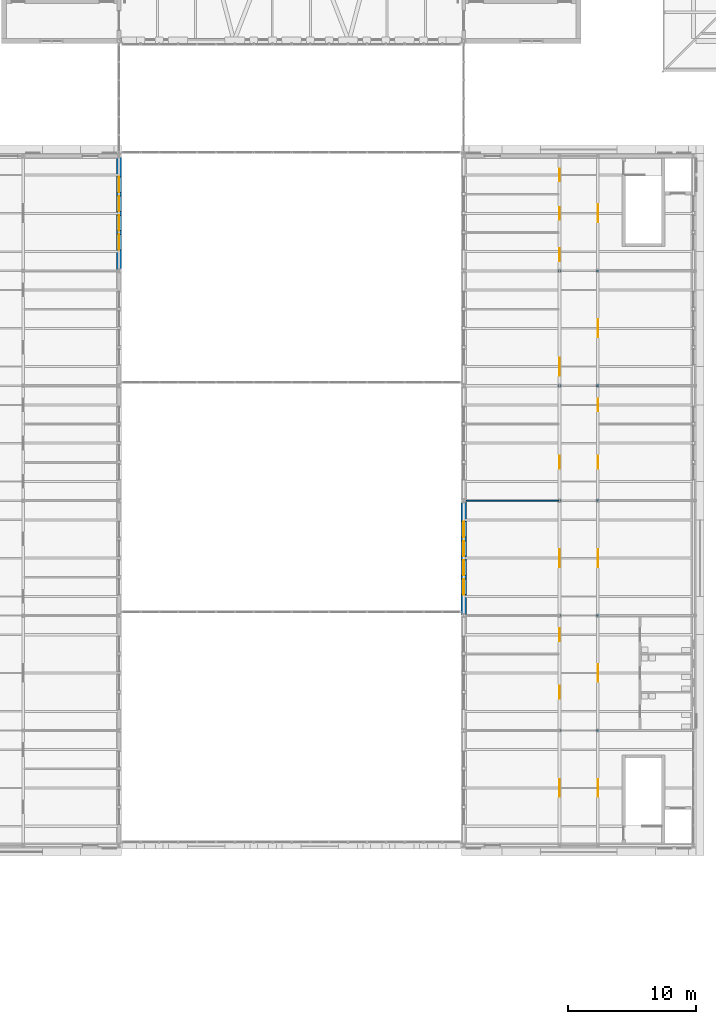
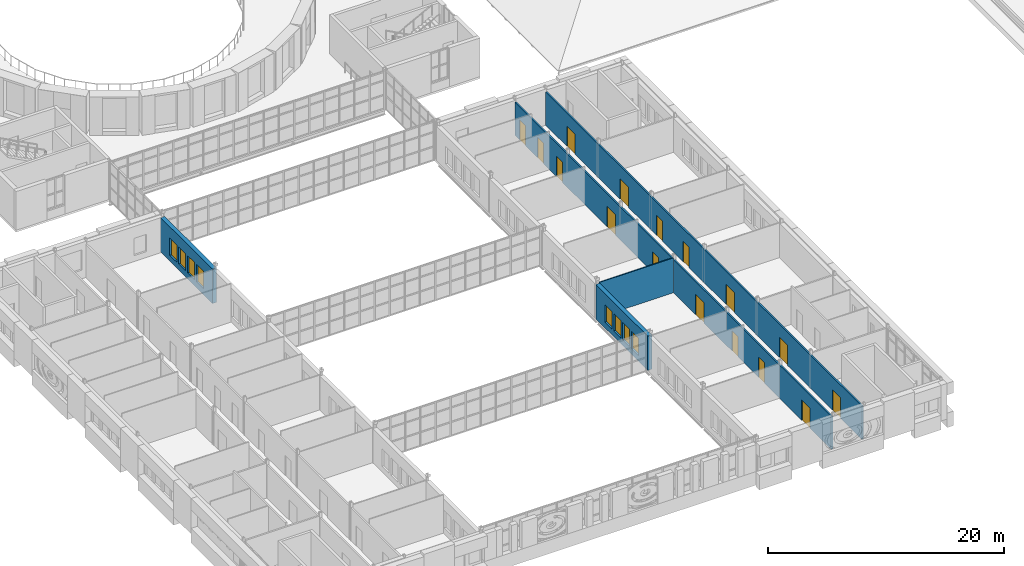
# One storey, part 107 of 154: 16 doors, 8 windows, 5 walls, 24 openings.
"""IFC4 building model written with IfcOpenShell, lengths in metres."""

from ifc_helpers import new_model, si_unit, direction, frame, frame_2d, origin, place, context, subcontext, project, spatial, rectangle, extrude, material, layer, layer_set, type_object, element, fill, save


model = new_model("IFC4")

# Units and contexts
model_context = context("Model", 3, precision=1e-05, world=origin(), true_north=direction((0.0, 1.0)))
body_context = subcontext(model_context, "Body", "Model", "MODEL_VIEW")
ifc_project = project(units=[si_unit("LENGTHUNIT", "METRE"), si_unit("AREAUNIT", "SQUARE_METRE"), si_unit("VOLUMEUNIT", "CUBIC_METRE"), si_unit("PLANEANGLEUNIT", "RADIAN"), si_unit("MASSUNIT", "GRAM", prefix="KILO")], contexts=[model_context])

# Site, building, storey
site_placement = place(None, origin())
site = spatial("IfcSite", under=ifc_project, at=site_placement, CompositionType="ELEMENT")
building_placement = place(site_placement, origin())
building = spatial("IfcBuilding", under=site, at=building_placement, Name="Golden Quay Civic Hall", CompositionType="ELEMENT")
storey_placement = place(building_placement, frame((0.0, 0.0, 14.39990234375)))
storey = spatial("IfcBuildingStorey", under=building, at=storey_placement, Name="L03", CompositionType="ELEMENT", Elevation=14.39990234375)

# Wall
ifc_material_1 = material(Name="Plasterboard on steel studs", Category="steel")
ifc_layer_1 = layer(ifc_material_1, 0.10009765625)
ifc_layer_set_1 = layer_set([ifc_layer_1], Name="Partition 100 stud")
wall_type_1 = type_object("IfcWallType", Name="Partition 100 stud", PredefinedType="PARTITIONING", material=ifc_layer_set_1)
wall_1_placement = place(storey_placement, frame((99.199951171875, 27.0, 0.0), z_axis=(0.0, 0.0, 1.0), x_axis=(1.0, 0.0, 0.0)))
element("IfcWall", 1, at=wall_1_placement, inside=storey, type_object=wall_type_1, Name="Partition L03-008", PredefinedType="PARTITIONING", context=body_context, shape_type="SweptSolid", body=[
    extrude(rectangle(XDim=7.22509765625, YDim=0.10009765625, at=frame_2d((3.612548828125, 0.0))), origin(), (0.0, 0.0, 1.0), 3.60009765625),
])

# Wall, openings, doors
ifc_material_2 = material(Name="Plasterboard on steel studs", Category="steel")
ifc_layer_2 = layer(ifc_material_2, 0.14990234375)
ifc_layer_set_2 = layer_set([ifc_layer_2], Name="Partition 150 stud fire EI 60")
wall_type_2 = type_object("IfcWallType", Name="Partition 150 stud fire EI 60", PredefinedType="PARTITIONING", material=ifc_layer_set_2)
wall_2_placement = place(storey_placement, frame((109.5, 0.199951171875, 0.0), z_axis=(0.0, 0.0, 1.0), x_axis=(0.0, 1.0, 0.0)))
wall_2 = element("IfcWall", 2, at=wall_2_placement, inside=storey, type_object=wall_type_2, Name="Partition L03-014", PredefinedType="PARTITIONING", context=body_context, shape_type="SweptSolid", body=[
    extrude(rectangle(XDim=53.60009765625, YDim=0.14990234375, at=frame_2d((26.800048828125, 0.0))), origin(), (0.0, 0.0, 1.0), 3.43017578125),
])
opening_1_placement = place(wall_2_placement, frame((21.60009765625, 0.0, 0.0)))
opening_1 = element("IfcOpeningElement", 3, at=opening_1_placement, cuts=wall_2, Name="Opening L03-D103", PredefinedType="OPENING", context=body_context, shape_type="SweptSolid", body=[
    extrude(rectangle(XDim=1.39990234375, YDim=2.10009765625, at=frame_2d((0.699951171875, 1.050048828125))), frame((0.0, 0.0849609375, 0.0), z_axis=(0.0, -1.0, 0.0), x_axis=(1.0, 0.0, 0.0)), (0.0, 0.0, 1.0), 0.169921875),
])
opening_2_placement = place(wall_2_placement, frame((29.300048828125, 0.0, 0.0)))
opening_2 = element("IfcOpeningElement", 4, at=opening_2_placement, cuts=wall_2, Name="Opening L03-D104", PredefinedType="OPENING", context=body_context, shape_type="SweptSolid", body=[
    extrude(rectangle(XDim=1.0, YDim=2.10009765625, at=frame_2d((0.5, 1.050048828125))), frame((0.0, 0.0849609375, 0.0), z_axis=(0.0, -1.0, 0.0), x_axis=(1.0, 0.0, 0.0)), (0.0, 0.0, 1.0), 0.169921875),
])
opening_3_placement = place(wall_2_placement, frame((33.800048828125, 0.0, 0.0)))
opening_3 = element("IfcOpeningElement", 5, at=opening_3_placement, cuts=wall_2, Name="Opening L03-D105", PredefinedType="OPENING", context=body_context, shape_type="SweptSolid", body=[
    extrude(rectangle(XDim=1.0, YDim=2.10009765625, at=frame_2d((0.5, 1.050048828125))), frame((0.0, 0.0849609375, 0.0), z_axis=(0.0, -1.0, 0.0), x_axis=(1.0, 0.0, 0.0)), (0.0, 0.0, 1.0), 0.169921875),
])
opening_4_placement = place(wall_2_placement, frame((39.60009765625, 0.0, 0.0)))
opening_4 = element("IfcOpeningElement", 6, at=opening_4_placement, cuts=wall_2, Name="Opening L03-D106", PredefinedType="OPENING", context=body_context, shape_type="SweptSolid", body=[
    extrude(rectangle(XDim=1.39990234375, YDim=2.10009765625, at=frame_2d((0.699951171875, 1.050048828125))), frame((0.0, 0.0849609375, 0.0), z_axis=(0.0, -1.0, 0.0), x_axis=(1.0, 0.0, 0.0)), (0.0, 0.0, 1.0), 0.169921875),
])
opening_5_placement = place(wall_2_placement, frame((12.60009765625, 0.0, 0.0)))
opening_5 = element("IfcOpeningElement", 7, at=opening_5_placement, cuts=wall_2, Name="Opening L03-D116", PredefinedType="OPENING", context=body_context, shape_type="SweptSolid", body=[
    extrude(rectangle(XDim=1.39990234375, YDim=2.10009765625, at=frame_2d((0.699951171875, 1.050048828125))), frame((0.0, 0.0849609375, 0.0), z_axis=(0.0, -1.0, 0.0), x_axis=(1.0, 0.0, 0.0)), (0.0, 0.0, 1.0), 0.169921875),
])
opening_6_placement = place(wall_2_placement, frame((3.60009765625, 0.0, 0.0)))
opening_6 = element("IfcOpeningElement", 8, at=opening_6_placement, cuts=wall_2, Name="Opening L03-D121", PredefinedType="OPENING", context=body_context, shape_type="SweptSolid", body=[
    extrude(rectangle(XDim=1.39990234375, YDim=2.10009765625, at=frame_2d((0.699951171875, 1.050048828125))), frame((0.0, 0.0849609375, 0.0), z_axis=(0.0, -1.0, 0.0), x_axis=(1.0, 0.0, 0.0)), (0.0, 0.0, 1.0), 0.169921875),
])
opening_7_placement = place(wall_2_placement, frame((48.60009765625, 0.0, 0.0)))
opening_7 = element("IfcOpeningElement", 9, at=opening_7_placement, cuts=wall_2, Name="Opening L03-D123", PredefinedType="OPENING", context=body_context, shape_type="SweptSolid", body=[
    extrude(rectangle(XDim=1.39990234375, YDim=2.10009765625, at=frame_2d((0.699951171875, 1.050048828125))), frame((0.0, 0.0849609375, 0.0), z_axis=(0.0, -1.0, 0.0), x_axis=(1.0, 0.0, 0.0)), (0.0, 0.0, 1.0), 0.169921875),
])
ifc_material_3 = material(Name="Steel", Category="steel")
door_type_1 = type_object("IfcDoorType", Name="Steel double fire door FD30S 1400 x 2100", OperationType="DOUBLE_DOOR_SINGLE_SWING", PredefinedType="DOOR", material=ifc_material_3)
door_1_placement = place(opening_1_placement, frame((1.39990234375, 0.0, 0.0), z_axis=(0.0, 0.0, 1.0), x_axis=(-1.0, 0.0, 0.0)))
door_1 = element("IfcDoor", 10, at=door_1_placement, inside=storey, type_object=door_type_1, Name="Door L03-D103", OperationType="DOUBLE_DOOR_SINGLE_SWING", OverallHeight=2.10009765625, OverallWidth=1.39990234375, PredefinedType="DOOR", context=body_context, shape_type="SweptSolid", body=[
    extrude(rectangle(XDim=1.39990234375, YDim=2.10009765625, at=frame_2d((0.699951171875, 1.050048828125))), frame((0.0, 0.025146484375, 0.0), z_axis=(0.0, -1.0, 0.0), x_axis=(1.0, 0.0, 0.0)), (0.0, 0.0, 1.0), 0.050048828125),
])
fill(opening_1, door_1)
door_2_placement = place(opening_4_placement, frame((1.39990234375, 0.0, 0.0), z_axis=(0.0, 0.0, 1.0), x_axis=(-1.0, 0.0, 0.0)))
door_2 = element("IfcDoor", 11, at=door_2_placement, inside=storey, type_object=door_type_1, Name="Door L03-D106", OperationType="DOUBLE_DOOR_SINGLE_SWING", OverallHeight=2.10009765625, OverallWidth=1.39990234375, PredefinedType="DOOR", context=body_context, shape_type="SweptSolid", body=[
    extrude(rectangle(XDim=1.39990234375, YDim=2.10009765625, at=frame_2d((0.699951171875, 1.050048828125))), frame((0.0, 0.025146484375, 0.0), z_axis=(0.0, -1.0, 0.0), x_axis=(1.0, 0.0, 0.0)), (0.0, 0.0, 1.0), 0.050048828125),
])
fill(opening_4, door_2)
door_3_placement = place(opening_5_placement, frame((1.39990234375, 0.0, 0.0), z_axis=(0.0, 0.0, 1.0), x_axis=(-1.0, 0.0, 0.0)))
door_3 = element("IfcDoor", 12, at=door_3_placement, inside=storey, type_object=door_type_1, Name="Door L03-D116", OperationType="DOUBLE_DOOR_SINGLE_SWING", OverallHeight=2.10009765625, OverallWidth=1.39990234375, PredefinedType="DOOR", context=body_context, shape_type="SweptSolid", body=[
    extrude(rectangle(XDim=1.39990234375, YDim=2.10009765625, at=frame_2d((0.699951171875, 1.050048828125))), frame((0.0, 0.025146484375, 0.0), z_axis=(0.0, -1.0, 0.0), x_axis=(1.0, 0.0, 0.0)), (0.0, 0.0, 1.0), 0.050048828125),
])
fill(opening_5, door_3)
door_4_placement = place(opening_6_placement, origin())
door_4 = element("IfcDoor", 13, at=door_4_placement, inside=storey, type_object=door_type_1, Name="Door L03-D121", OperationType="DOUBLE_DOOR_SINGLE_SWING", OverallHeight=2.10009765625, OverallWidth=1.39990234375, PredefinedType="DOOR", context=body_context, shape_type="SweptSolid", body=[
    extrude(rectangle(XDim=1.39990234375, YDim=2.10009765625, at=frame_2d((0.699951171875, 1.050048828125))), frame((0.0, 0.02490234375, 0.0), z_axis=(0.0, -1.0, 0.0), x_axis=(1.0, 0.0, 0.0)), (0.0, 0.0, 1.0), 0.050048828125),
])
fill(opening_6, door_4)
door_5_placement = place(opening_7_placement, origin())
door_5 = element("IfcDoor", 14, at=door_5_placement, inside=storey, type_object=door_type_1, Name="Door L03-D123", OperationType="DOUBLE_DOOR_SINGLE_SWING", OverallHeight=2.10009765625, OverallWidth=1.39990234375, PredefinedType="DOOR", context=body_context, shape_type="SweptSolid", body=[
    extrude(rectangle(XDim=1.39990234375, YDim=2.10009765625, at=frame_2d((0.699951171875, 1.050048828125))), frame((0.0, 0.02490234375, 0.0), z_axis=(0.0, -1.0, 0.0), x_axis=(1.0, 0.0, 0.0)), (0.0, 0.0, 1.0), 0.050048828125),
])
fill(opening_7, door_5)
ifc_material_4 = material(Name="Steel", Category="steel")
door_type_2 = type_object("IfcDoorType", Name="Steel fire door FD30S 1000 x 2100", OperationType="SINGLE_SWING_LEFT", PredefinedType="DOOR", material=ifc_material_4)
door_6_placement = place(opening_2_placement, frame((1.0, 0.0, 0.0), z_axis=(0.0, 0.0, 1.0), x_axis=(-1.0, 0.0, 0.0)))
door_6 = element("IfcDoor", 15, at=door_6_placement, inside=storey, type_object=door_type_2, Name="Door L03-D104", OperationType="SINGLE_SWING_RIGHT", OverallHeight=2.10009765625, OverallWidth=1.0, PredefinedType="DOOR", context=body_context, shape_type="SweptSolid", body=[
    extrude(rectangle(XDim=1.0, YDim=2.10009765625, at=frame_2d((0.5, 1.050048828125))), frame((0.0, 0.025146484375, 0.0), z_axis=(0.0, -1.0, 0.0), x_axis=(1.0, 0.0, 0.0)), (0.0, 0.0, 1.0), 0.050048828125),
])
fill(opening_2, door_6)
door_7_placement = place(opening_3_placement, frame((1.0, 0.0, 0.0), z_axis=(0.0, 0.0, 1.0), x_axis=(-1.0, 0.0, 0.0)))
door_7 = element("IfcDoor", 16, at=door_7_placement, inside=storey, type_object=door_type_2, Name="Door L03-D105", OperationType="SINGLE_SWING_RIGHT", OverallHeight=2.10009765625, OverallWidth=1.0, PredefinedType="DOOR", context=body_context, shape_type="SweptSolid", body=[
    extrude(rectangle(XDim=1.0, YDim=2.10009765625, at=frame_2d((0.5, 1.050048828125))), frame((0.0, 0.025146484375, 0.0), z_axis=(0.0, -1.0, 0.0), x_axis=(1.0, 0.0, 0.0)), (0.0, 0.0, 1.0), 0.050048828125),
])
fill(opening_3, door_7)

wall_3_placement = place(storey_placement, frame((106.5, 0.199951171875, 0.0), z_axis=(0.0, 0.0, 1.0), x_axis=(0.0, 1.0, 0.0)))
wall_3 = element("IfcWall", 17, at=wall_3_placement, inside=storey, type_object=wall_type_2, Name="Partition L03-015", PredefinedType="PARTITIONING", context=body_context, shape_type="SweptSolid", body=[
    extrude(rectangle(XDim=53.60009765625, YDim=0.14990234375, at=frame_2d((26.800048828125, 0.0))), origin(), (0.0, 0.0, 1.0), 3.43017578125),
])
opening_8_placement = place(wall_3_placement, frame((3.60009765625, 0.0, 0.0)))
opening_8 = element("IfcOpeningElement", 18, at=opening_8_placement, cuts=wall_3, Name="Opening L03-D107", PredefinedType="OPENING", context=body_context, shape_type="SweptSolid", body=[
    extrude(rectangle(XDim=1.39990234375, YDim=2.10009765625, at=frame_2d((0.699951171875, 1.050048828125))), frame((0.0, 0.0849609375, 0.0), z_axis=(0.0, -1.0, 0.0), x_axis=(1.0, 0.0, 0.0)), (0.0, 0.0, 1.0), 0.169921875),
])
opening_9_placement = place(wall_3_placement, frame((11.300048828125, 0.0, 0.0)))
opening_9 = element("IfcOpeningElement", 19, at=opening_9_placement, cuts=wall_3, Name="Opening L03-D108", PredefinedType="OPENING", context=body_context, shape_type="SweptSolid", body=[
    extrude(rectangle(XDim=1.0, YDim=2.10009765625, at=frame_2d((0.5, 1.050048828125))), frame((0.0, 0.0849609375, 0.0), z_axis=(0.0, -1.0, 0.0), x_axis=(1.0, 0.0, 0.0)), (0.0, 0.0, 1.0), 0.169921875),
])
opening_10_placement = place(wall_3_placement, frame((15.800048828125, 0.0, 0.0)))
opening_10 = element("IfcOpeningElement", 20, at=opening_10_placement, cuts=wall_3, Name="Opening L03-D109", PredefinedType="OPENING", context=body_context, shape_type="SweptSolid", body=[
    extrude(rectangle(XDim=1.0, YDim=2.10009765625, at=frame_2d((0.5, 1.050048828125))), frame((0.0, 0.0849609375, 0.0), z_axis=(0.0, -1.0, 0.0), x_axis=(1.0, 0.0, 0.0)), (0.0, 0.0, 1.0), 0.169921875),
])
opening_11_placement = place(wall_3_placement, frame((21.60009765625, 0.0, 0.0)))
opening_11 = element("IfcOpeningElement", 21, at=opening_11_placement, cuts=wall_3, Name="Opening L03-D110", PredefinedType="OPENING", context=body_context, shape_type="SweptSolid", body=[
    extrude(rectangle(XDim=1.39990234375, YDim=2.10009765625, at=frame_2d((0.699951171875, 1.050048828125))), frame((0.0, 0.0849609375, 0.0), z_axis=(0.0, -1.0, 0.0), x_axis=(1.0, 0.0, 0.0)), (0.0, 0.0, 1.0), 0.169921875),
])
opening_12_placement = place(wall_3_placement, frame((29.300048828125, 0.0, 0.0)))
opening_12 = element("IfcOpeningElement", 22, at=opening_12_placement, cuts=wall_3, Name="Opening L03-D111", PredefinedType="OPENING", context=body_context, shape_type="SweptSolid", body=[
    extrude(rectangle(XDim=1.0, YDim=2.10009765625, at=frame_2d((0.5, 1.050048828125))), frame((0.0, 0.0849609375, 0.0), z_axis=(0.0, -1.0, 0.0), x_axis=(1.0, 0.0, 0.0)), (0.0, 0.0, 1.0), 0.169921875),
])
opening_13_placement = place(wall_3_placement, frame((36.60009765625, 0.0, 0.0)))
opening_13 = element("IfcOpeningElement", 23, at=opening_13_placement, cuts=wall_3, Name="Opening L03-D112", PredefinedType="OPENING", context=body_context, shape_type="SweptSolid", body=[
    extrude(rectangle(XDim=1.39990234375, YDim=2.10009765625, at=frame_2d((0.699951171875, 1.050048828125))), frame((0.0, 0.0849609375, 0.0), z_axis=(0.0, -1.0, 0.0), x_axis=(1.0, 0.0, 0.0)), (0.0, 0.0, 1.0), 0.169921875),
])
opening_14_placement = place(wall_3_placement, frame((45.550048828125, 0.0, 0.0)))
opening_14 = element("IfcOpeningElement", 24, at=opening_14_placement, cuts=wall_3, Name="Opening L03-D113", PredefinedType="OPENING", context=body_context, shape_type="SweptSolid", body=[
    extrude(rectangle(XDim=1.0, YDim=2.10009765625, at=frame_2d((0.5, 1.050048828125))), frame((0.0, 0.0849609375, 0.0), z_axis=(0.0, -1.0, 0.0), x_axis=(1.0, 0.0, 0.0)), (0.0, 0.0, 1.0), 0.169921875),
])
opening_15_placement = place(wall_3_placement, frame((48.800048828125, 0.0, 0.0)))
opening_15 = element("IfcOpeningElement", 25, at=opening_15_placement, cuts=wall_3, Name="Opening L03-D114", PredefinedType="OPENING", context=body_context, shape_type="SweptSolid", body=[
    extrude(rectangle(XDim=1.0, YDim=2.10009765625, at=frame_2d((0.5, 1.050048828125))), frame((0.0, 0.0849609375, 0.0), z_axis=(0.0, -1.0, 0.0), x_axis=(1.0, 0.0, 0.0)), (0.0, 0.0, 1.0), 0.169921875),
])
opening_16_placement = place(wall_3_placement, frame((51.800048828125, 0.0, 0.0)))
opening_16 = element("IfcOpeningElement", 26, at=opening_16_placement, cuts=wall_3, Name="Opening L03-D115", PredefinedType="OPENING", context=body_context, shape_type="SweptSolid", body=[
    extrude(rectangle(XDim=1.0, YDim=2.10009765625, at=frame_2d((0.5, 1.050048828125))), frame((0.0, 0.0849609375, 0.0), z_axis=(0.0, -1.0, 0.0), x_axis=(1.0, 0.0, 0.0)), (0.0, 0.0, 1.0), 0.169921875),
])
door_8_placement = place(opening_8_placement, origin())
door_8 = element("IfcDoor", 27, at=door_8_placement, inside=storey, type_object=door_type_1, Name="Door L03-D107", OperationType="DOUBLE_DOOR_SINGLE_SWING", OverallHeight=2.10009765625, OverallWidth=1.39990234375, PredefinedType="DOOR", context=body_context, shape_type="SweptSolid", body=[
    extrude(rectangle(XDim=1.39990234375, YDim=2.10009765625, at=frame_2d((0.699951171875, 1.050048828125))), frame((0.0, 0.02490234375, 0.0), z_axis=(0.0, -1.0, 0.0), x_axis=(1.0, 0.0, 0.0)), (0.0, 0.0, 1.0), 0.050048828125),
])
fill(opening_8, door_8)
door_9_placement = place(opening_11_placement, origin())
door_9 = element("IfcDoor", 28, at=door_9_placement, inside=storey, type_object=door_type_1, Name="Door L03-D110", OperationType="DOUBLE_DOOR_SINGLE_SWING", OverallHeight=2.10009765625, OverallWidth=1.39990234375, PredefinedType="DOOR", context=body_context, shape_type="SweptSolid", body=[
    extrude(rectangle(XDim=1.39990234375, YDim=2.10009765625, at=frame_2d((0.699951171875, 1.050048828125))), frame((0.0, 0.02490234375, 0.0), z_axis=(0.0, -1.0, 0.0), x_axis=(1.0, 0.0, 0.0)), (0.0, 0.0, 1.0), 0.050048828125),
])
fill(opening_11, door_9)
door_10_placement = place(opening_13_placement, origin())
door_10 = element("IfcDoor", 29, at=door_10_placement, inside=storey, type_object=door_type_1, Name="Door L03-D112", OperationType="DOUBLE_DOOR_SINGLE_SWING", OverallHeight=2.10009765625, OverallWidth=1.39990234375, PredefinedType="DOOR", context=body_context, shape_type="SweptSolid", body=[
    extrude(rectangle(XDim=1.39990234375, YDim=2.10009765625, at=frame_2d((0.699951171875, 1.050048828125))), frame((0.0, 0.02490234375, 0.0), z_axis=(0.0, -1.0, 0.0), x_axis=(1.0, 0.0, 0.0)), (0.0, 0.0, 1.0), 0.050048828125),
])
fill(opening_13, door_10)
door_11_placement = place(opening_9_placement, origin())
door_11 = element("IfcDoor", 30, at=door_11_placement, inside=storey, type_object=door_type_2, Name="Door L03-D108", OperationType="SINGLE_SWING_LEFT", OverallHeight=2.10009765625, OverallWidth=1.0, PredefinedType="DOOR", context=body_context, shape_type="SweptSolid", body=[
    extrude(rectangle(XDim=1.0, YDim=2.10009765625, at=frame_2d((0.5, 1.050048828125))), frame((0.0, 0.02490234375, 0.0), z_axis=(0.0, -1.0, 0.0), x_axis=(1.0, 0.0, 0.0)), (0.0, 0.0, 1.0), 0.050048828125),
])
fill(opening_9, door_11)
door_12_placement = place(opening_10_placement, origin())
door_12 = element("IfcDoor", 31, at=door_12_placement, inside=storey, type_object=door_type_2, Name="Door L03-D109", OperationType="SINGLE_SWING_LEFT", OverallHeight=2.10009765625, OverallWidth=1.0, PredefinedType="DOOR", context=body_context, shape_type="SweptSolid", body=[
    extrude(rectangle(XDim=1.0, YDim=2.10009765625, at=frame_2d((0.5, 1.050048828125))), frame((0.0, 0.02490234375, 0.0), z_axis=(0.0, -1.0, 0.0), x_axis=(1.0, 0.0, 0.0)), (0.0, 0.0, 1.0), 0.050048828125),
])
fill(opening_10, door_12)
door_13_placement = place(opening_12_placement, origin())
door_13 = element("IfcDoor", 32, at=door_13_placement, inside=storey, type_object=door_type_2, Name="Door L03-D111", OperationType="SINGLE_SWING_LEFT", OverallHeight=2.10009765625, OverallWidth=1.0, PredefinedType="DOOR", context=body_context, shape_type="SweptSolid", body=[
    extrude(rectangle(XDim=1.0, YDim=2.10009765625, at=frame_2d((0.5, 1.050048828125))), frame((0.0, 0.02490234375, 0.0), z_axis=(0.0, -1.0, 0.0), x_axis=(1.0, 0.0, 0.0)), (0.0, 0.0, 1.0), 0.050048828125),
])
fill(opening_12, door_13)
door_14_placement = place(opening_14_placement, origin())
door_14 = element("IfcDoor", 33, at=door_14_placement, inside=storey, type_object=door_type_2, Name="Door L03-D113", OperationType="SINGLE_SWING_LEFT", OverallHeight=2.10009765625, OverallWidth=1.0, PredefinedType="DOOR", context=body_context, shape_type="SweptSolid", body=[
    extrude(rectangle(XDim=1.0, YDim=2.10009765625, at=frame_2d((0.5, 1.050048828125))), frame((0.0, 0.02490234375, 0.0), z_axis=(0.0, -1.0, 0.0), x_axis=(1.0, 0.0, 0.0)), (0.0, 0.0, 1.0), 0.050048828125),
])
fill(opening_14, door_14)
door_15_placement = place(opening_15_placement, origin())
door_15 = element("IfcDoor", 34, at=door_15_placement, inside=storey, type_object=door_type_2, Name="Door L03-D114", OperationType="SINGLE_SWING_LEFT", OverallHeight=2.10009765625, OverallWidth=1.0, PredefinedType="DOOR", context=body_context, shape_type="SweptSolid", body=[
    extrude(rectangle(XDim=1.0, YDim=2.10009765625, at=frame_2d((0.5, 1.050048828125))), frame((0.0, 0.02490234375, 0.0), z_axis=(0.0, -1.0, 0.0), x_axis=(1.0, 0.0, 0.0)), (0.0, 0.0, 1.0), 0.050048828125),
])
fill(opening_15, door_15)
door_16_placement = place(opening_16_placement, origin())
door_16 = element("IfcDoor", 35, at=door_16_placement, inside=storey, type_object=door_type_2, Name="Door L03-D115", OperationType="SINGLE_SWING_LEFT", OverallHeight=2.10009765625, OverallWidth=1.0, PredefinedType="DOOR", context=body_context, shape_type="SweptSolid", body=[
    extrude(rectangle(XDim=1.0, YDim=2.10009765625, at=frame_2d((0.5, 1.050048828125))), frame((0.0, 0.02490234375, 0.0), z_axis=(0.0, -1.0, 0.0), x_axis=(1.0, 0.0, 0.0)), (0.0, 0.0, 1.0), 0.050048828125),
])
fill(opening_16, door_16)

# Wall, openings, windows
ifc_material_5 = material(Name="Clay block, rendered, cream")
ifc_layer_3 = layer(ifc_material_5, 0.39990234375)
ifc_layer_set_3 = layer_set([ifc_layer_3], Name="Rendered block external wall 400")
wall_type_3 = type_object("IfcWallType", Name="Rendered block external wall 400", PredefinedType="STANDARD", material=ifc_layer_set_3)
wall_4_placement = place(storey_placement, frame((72.0, 53.905029296875, 0.0), z_axis=(0.0, 0.0, 1.0), x_axis=(0.0, -1.0, 0.0)))
wall_4 = element("IfcWall", 36, at=wall_4_placement, inside=storey, type_object=wall_type_3, Name="Rendered block external wall 400 L03 32", PredefinedType="STANDARD", context=body_context, shape_type="SweptSolid", body=[
    extrude(rectangle(XDim=8.81005859375, YDim=0.39990234375, at=frame_2d((4.405029296875, 0.0))), origin(), (0.0, 0.0, 1.0), 3.550048828125),
])
opening_17_placement = place(wall_4_placement, frame((6.054931640625, 0.0, 0.60009765625)))
opening_17 = element("IfcOpeningElement", 37, at=opening_17_placement, cuts=wall_4, Name="Opening WN10", PredefinedType="OPENING", context=body_context, shape_type="SweptSolid", body=[
    extrude(rectangle(XDim=1.199951171875, YDim=1.800048828125, at=frame_2d((0.60009765625, 0.89990234375))), frame((0.0, 0.2099609375, 0.0), z_axis=(0.0, -1.0, 0.0), x_axis=(1.0, 0.0, 0.0)), (0.0, 0.0, 1.0), 0.419921875),
])
opening_18_placement = place(wall_4_placement, frame((4.554931640625, 0.0, 0.60009765625)))
opening_18 = element("IfcOpeningElement", 38, at=opening_18_placement, cuts=wall_4, Name="Opening WN10", PredefinedType="OPENING", context=body_context, shape_type="SweptSolid", body=[
    extrude(rectangle(XDim=1.199951171875, YDim=1.800048828125, at=frame_2d((0.60009765625, 0.89990234375))), frame((0.0, 0.2099609375, 0.0), z_axis=(0.0, -1.0, 0.0), x_axis=(1.0, 0.0, 0.0)), (0.0, 0.0, 1.0), 0.419921875),
])
opening_19_placement = place(wall_4_placement, frame((3.054931640625, 0.0, 0.60009765625)))
opening_19 = element("IfcOpeningElement", 39, at=opening_19_placement, cuts=wall_4, Name="Opening WN10", PredefinedType="OPENING", context=body_context, shape_type="SweptSolid", body=[
    extrude(rectangle(XDim=1.199951171875, YDim=1.800048828125, at=frame_2d((0.60009765625, 0.89990234375))), frame((0.0, 0.2099609375, 0.0), z_axis=(0.0, -1.0, 0.0), x_axis=(1.0, 0.0, 0.0)), (0.0, 0.0, 1.0), 0.419921875),
])
opening_20_placement = place(wall_4_placement, frame((1.554931640625, 0.0, 0.60009765625)))
opening_20 = element("IfcOpeningElement", 40, at=opening_20_placement, cuts=wall_4, Name="Opening WN10", PredefinedType="OPENING", context=body_context, shape_type="SweptSolid", body=[
    extrude(rectangle(XDim=1.199951171875, YDim=1.800048828125, at=frame_2d((0.60009765625, 0.89990234375))), frame((0.0, 0.2099609375, 0.0), z_axis=(0.0, -1.0, 0.0), x_axis=(1.0, 0.0, 0.0)), (0.0, 0.0, 1.0), 0.419921875),
])
ifc_material_6 = material(Name="Aluminium frame, double glazed", Category="aluminium")
window_type = type_object("IfcWindowType", Name="Golden grid window 1200 x 1800", PartitioningType="SINGLE_PANEL", PredefinedType="WINDOW", material=ifc_material_6)
window_1_placement = place(opening_17_placement, origin())
window_1 = element("IfcWindow", 41, at=window_1_placement, inside=storey, type_object=window_type, Name="Golden grid window 1200 x 1800 L03 33", OverallHeight=1.800048828125, OverallWidth=1.199951171875, PartitioningType="SINGLE_PANEL", PredefinedType="WINDOW", context=body_context, shape_type="SweptSolid", body=[
    extrude(rectangle(XDim=1.199951171875, YDim=1.800048828125, at=frame_2d((0.60009765625, 0.89990234375))), frame((0.0, 0.030029296875, 0.0), z_axis=(0.0, -1.0, 0.0), x_axis=(1.0, 0.0, 0.0)), (0.0, 0.0, 1.0), 0.06005859375),
])
fill(opening_17, window_1)
window_2_placement = place(opening_18_placement, origin())
window_2 = element("IfcWindow", 42, at=window_2_placement, inside=storey, type_object=window_type, Name="Golden grid window 1200 x 1800 L03 34", OverallHeight=1.800048828125, OverallWidth=1.199951171875, PartitioningType="SINGLE_PANEL", PredefinedType="WINDOW", context=body_context, shape_type="SweptSolid", body=[
    extrude(rectangle(XDim=1.199951171875, YDim=1.800048828125, at=frame_2d((0.60009765625, 0.89990234375))), frame((0.0, 0.030029296875, 0.0), z_axis=(0.0, -1.0, 0.0), x_axis=(1.0, 0.0, 0.0)), (0.0, 0.0, 1.0), 0.06005859375),
])
fill(opening_18, window_2)
window_3_placement = place(opening_19_placement, origin())
window_3 = element("IfcWindow", 43, at=window_3_placement, inside=storey, type_object=window_type, Name="Golden grid window 1200 x 1800 L03 35", OverallHeight=1.800048828125, OverallWidth=1.199951171875, PartitioningType="SINGLE_PANEL", PredefinedType="WINDOW", context=body_context, shape_type="SweptSolid", body=[
    extrude(rectangle(XDim=1.199951171875, YDim=1.800048828125, at=frame_2d((0.60009765625, 0.89990234375))), frame((0.0, 0.030029296875, 0.0), z_axis=(0.0, -1.0, 0.0), x_axis=(1.0, 0.0, 0.0)), (0.0, 0.0, 1.0), 0.06005859375),
])
fill(opening_19, window_3)
window_4_placement = place(opening_20_placement, origin())
window_4 = element("IfcWindow", 44, at=window_4_placement, inside=storey, type_object=window_type, Name="Golden grid window 1200 x 1800 L03 36", OverallHeight=1.800048828125, OverallWidth=1.199951171875, PartitioningType="SINGLE_PANEL", PredefinedType="WINDOW", context=body_context, shape_type="SweptSolid", body=[
    extrude(rectangle(XDim=1.199951171875, YDim=1.800048828125, at=frame_2d((0.60009765625, 0.89990234375))), frame((0.0, 0.030029296875, 0.0), z_axis=(0.0, -1.0, 0.0), x_axis=(1.0, 0.0, 0.0)), (0.0, 0.0, 1.0), 0.06005859375),
])
fill(opening_20, window_4)

wall_5_placement = place(storey_placement, frame((99.0, 18.094970703125, 0.0), z_axis=(0.0, 0.0, 1.0), x_axis=(0.0, 1.0, 0.0)))
wall_5 = element("IfcWall", 45, at=wall_5_placement, inside=storey, type_object=wall_type_3, Name="Rendered block external wall 400 L03 37", PredefinedType="STANDARD", context=body_context, shape_type="SweptSolid", body=[
    extrude(rectangle(XDim=8.81005859375, YDim=0.39990234375, at=frame_2d((4.405029296875, 0.0))), origin(), (0.0, 0.0, 1.0), 3.550048828125),
])
opening_21_placement = place(wall_5_placement, frame((1.554931640625, 0.0, 0.60009765625)))
opening_21 = element("IfcOpeningElement", 46, at=opening_21_placement, cuts=wall_5, Name="Opening WN10", PredefinedType="OPENING", context=body_context, shape_type="SweptSolid", body=[
    extrude(rectangle(XDim=1.199951171875, YDim=1.800048828125, at=frame_2d((0.60009765625, 0.89990234375))), frame((0.0, 0.2099609375, 0.0), z_axis=(0.0, -1.0, 0.0), x_axis=(1.0, 0.0, 0.0)), (0.0, 0.0, 1.0), 0.419921875),
])
opening_22_placement = place(wall_5_placement, frame((3.054931640625, 0.0, 0.60009765625)))
opening_22 = element("IfcOpeningElement", 47, at=opening_22_placement, cuts=wall_5, Name="Opening WN10", PredefinedType="OPENING", context=body_context, shape_type="SweptSolid", body=[
    extrude(rectangle(XDim=1.199951171875, YDim=1.800048828125, at=frame_2d((0.60009765625, 0.89990234375))), frame((0.0, 0.2099609375, 0.0), z_axis=(0.0, -1.0, 0.0), x_axis=(1.0, 0.0, 0.0)), (0.0, 0.0, 1.0), 0.419921875),
])
opening_23_placement = place(wall_5_placement, frame((4.554931640625, 0.0, 0.60009765625)))
opening_23 = element("IfcOpeningElement", 48, at=opening_23_placement, cuts=wall_5, Name="Opening WN10", PredefinedType="OPENING", context=body_context, shape_type="SweptSolid", body=[
    extrude(rectangle(XDim=1.199951171875, YDim=1.800048828125, at=frame_2d((0.60009765625, 0.89990234375))), frame((0.0, 0.2099609375, 0.0), z_axis=(0.0, -1.0, 0.0), x_axis=(1.0, 0.0, 0.0)), (0.0, 0.0, 1.0), 0.419921875),
])
opening_24_placement = place(wall_5_placement, frame((6.054931640625, 0.0, 0.60009765625)))
opening_24 = element("IfcOpeningElement", 49, at=opening_24_placement, cuts=wall_5, Name="Opening WN10", PredefinedType="OPENING", context=body_context, shape_type="SweptSolid", body=[
    extrude(rectangle(XDim=1.199951171875, YDim=1.800048828125, at=frame_2d((0.60009765625, 0.89990234375))), frame((0.0, 0.2099609375, 0.0), z_axis=(0.0, -1.0, 0.0), x_axis=(1.0, 0.0, 0.0)), (0.0, 0.0, 1.0), 0.419921875),
])
window_5_placement = place(opening_21_placement, origin())
window_5 = element("IfcWindow", 50, at=window_5_placement, inside=storey, type_object=window_type, Name="Golden grid window 1200 x 1800 L03 46", OverallHeight=1.800048828125, OverallWidth=1.199951171875, PartitioningType="SINGLE_PANEL", PredefinedType="WINDOW", context=body_context, shape_type="SweptSolid", body=[
    extrude(rectangle(XDim=1.199951171875, YDim=1.800048828125, at=frame_2d((0.60009765625, 0.89990234375))), frame((0.0, 0.030029296875, 0.0), z_axis=(0.0, -1.0, 0.0), x_axis=(1.0, 0.0, 0.0)), (0.0, 0.0, 1.0), 0.06005859375),
])
fill(opening_21, window_5)
window_6_placement = place(opening_22_placement, origin())
window_6 = element("IfcWindow", 51, at=window_6_placement, inside=storey, type_object=window_type, Name="Golden grid window 1200 x 1800 L03 47", OverallHeight=1.800048828125, OverallWidth=1.199951171875, PartitioningType="SINGLE_PANEL", PredefinedType="WINDOW", context=body_context, shape_type="SweptSolid", body=[
    extrude(rectangle(XDim=1.199951171875, YDim=1.800048828125, at=frame_2d((0.60009765625, 0.89990234375))), frame((0.0, 0.030029296875, 0.0), z_axis=(0.0, -1.0, 0.0), x_axis=(1.0, 0.0, 0.0)), (0.0, 0.0, 1.0), 0.06005859375),
])
fill(opening_22, window_6)
window_7_placement = place(opening_23_placement, origin())
window_7 = element("IfcWindow", 52, at=window_7_placement, inside=storey, type_object=window_type, Name="Golden grid window 1200 x 1800 L03 48", OverallHeight=1.800048828125, OverallWidth=1.199951171875, PartitioningType="SINGLE_PANEL", PredefinedType="WINDOW", context=body_context, shape_type="SweptSolid", body=[
    extrude(rectangle(XDim=1.199951171875, YDim=1.800048828125, at=frame_2d((0.60009765625, 0.89990234375))), frame((0.0, 0.030029296875, 0.0), z_axis=(0.0, -1.0, 0.0), x_axis=(1.0, 0.0, 0.0)), (0.0, 0.0, 1.0), 0.06005859375),
])
fill(opening_23, window_7)
window_8_placement = place(opening_24_placement, origin())
window_8 = element("IfcWindow", 53, at=window_8_placement, inside=storey, type_object=window_type, Name="Golden grid window 1200 x 1800 L03 49", OverallHeight=1.800048828125, OverallWidth=1.199951171875, PartitioningType="SINGLE_PANEL", PredefinedType="WINDOW", context=body_context, shape_type="SweptSolid", body=[
    extrude(rectangle(XDim=1.199951171875, YDim=1.800048828125, at=frame_2d((0.60009765625, 0.89990234375))), frame((0.0, 0.030029296875, 0.0), z_axis=(0.0, -1.0, 0.0), x_axis=(1.0, 0.0, 0.0)), (0.0, 0.0, 1.0), 0.06005859375),
])
fill(opening_24, window_8)

save(model, "model.ifc")
